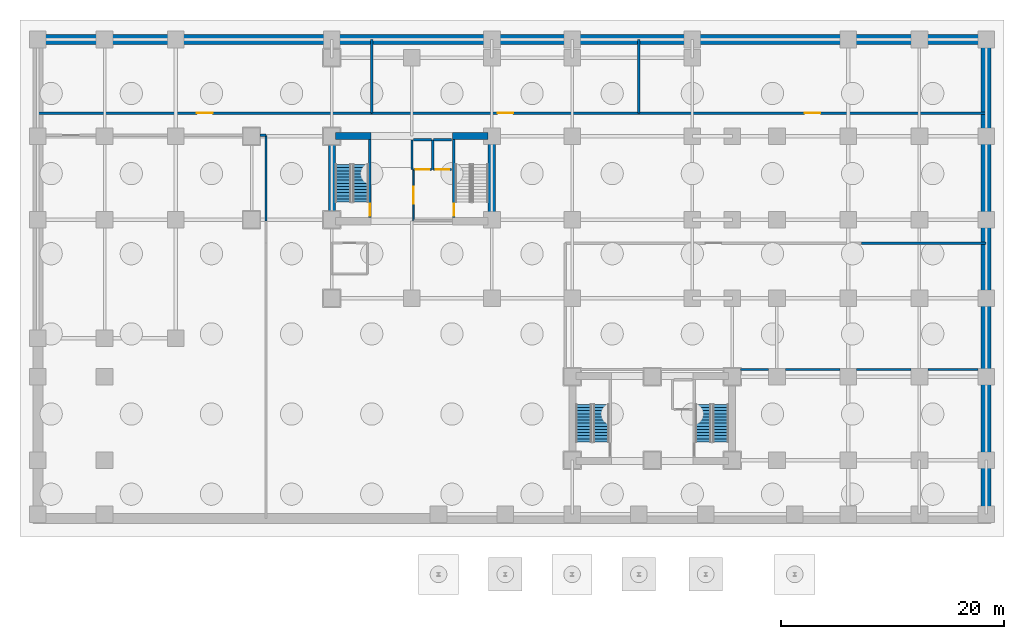
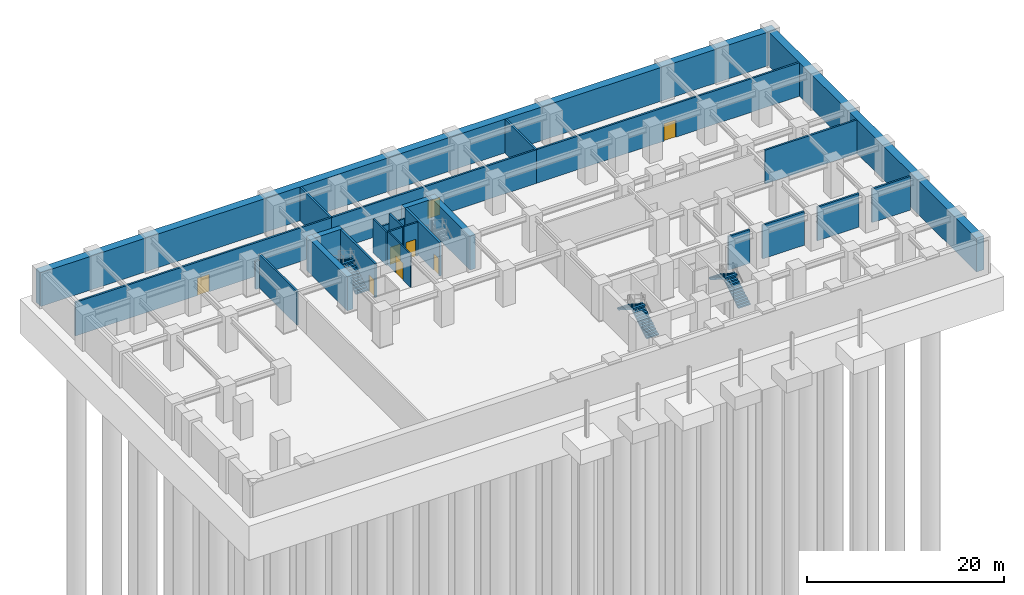
# One storey, part 8 of 11: 27 walls, 8 doors, 6 stair flights, 8 openings, 3 elements without a shape of their own.
"""IFC4 building model written with IfcOpenShell, lengths in metres."""

from ifc_helpers import new_model, si_unit, direction, frame, frame_2d, origin, place, context, subcontext, project, spatial, polyline, rectangle, outline, extrude, material, layer, layer_set, type_object, element, fill, aggregate, save


model = new_model("IFC4")

# Units and contexts
model_context = context("Model", 3, precision=1e-05, world=origin(), true_north=direction((0.0, 1.0)))
body_context = subcontext(model_context, "Body", "Model", "MODEL_VIEW")
ifc_project = project(units=[si_unit("LENGTHUNIT", "METRE"), si_unit("AREAUNIT", "SQUARE_METRE"), si_unit("VOLUMEUNIT", "CUBIC_METRE"), si_unit("PLANEANGLEUNIT", "RADIAN"), si_unit("MASSUNIT", "GRAM", prefix="KILO")], contexts=[model_context])

# Site, building, storey
site_placement = place(None, origin())
site = spatial("IfcSite", under=ifc_project, at=site_placement, CompositionType="ELEMENT")
building_placement = place(site_placement, origin())
building = spatial("IfcBuilding", under=site, at=building_placement, Name="Kaliganga Portal Commons", CompositionType="ELEMENT")
storey_placement = place(building_placement, frame((0.0, 0.0, -9.0)))
storey = spatial("IfcBuildingStorey", under=building, at=storey_placement, Name="B2", CompositionType="ELEMENT", Elevation=-9.0)

# Walls
ifc_material_1 = material(Name="Concrete C70/85", Category="concrete")
ifc_layer_1 = layer(ifc_material_1, 0.64990234375)
ifc_layer_set_1 = layer_set([ifc_layer_1], Name="Concrete C70/85")
wall_type_1 = type_object("IfcWallType", Name="WL-CORE-650", PredefinedType="SHEAR", material=ifc_layer_set_1)
for number, where, z_axis, x_axis, name in (
    (1, (14.425048828125, 28.199951171875, 0.0), (0.0, 0.0, 1.0), (0.0, 1.0, 0.0), "Core A West Shear Wall B2"),
    (2, (28.77490234375, 28.199951171875, 0.0), (0.0, 0.0, 1.0), (0.0, 1.0, 0.0), "Core A East Shear Wall B2"),
):
    element("IfcWall", number, at=place(storey_placement, frame(where, z_axis=z_axis, x_axis=x_axis)), inside=storey, type_object=wall_type_1, Name=name, PredefinedType="SHEAR", context=body_context, shape_type="SweptSolid", body=[
        extrude(rectangle(XDim=8.300048828125, YDim=0.64990234375, at=frame_2d((4.14990234375, 0.0))), origin(), (0.0, 0.0, 1.0), 4.179931640625),
    ])
for number, where, z_axis, x_axis, name in (
    (3, (14.75, 36.175048828125, 0.0), (0.0, 0.0, 1.0), (1.0, 0.0, 0.0), "Core A N-West Shear Wall B2"),
    (4, (25.25, 36.175048828125, 0.0), (0.0, 0.0, 1.0), (1.0, 0.0, 0.0), "Core A N-East Shear Wall B2"),
):
    element("IfcWall", number, at=place(storey_placement, frame(where, z_axis=z_axis, x_axis=x_axis)), inside=storey, type_object=wall_type_1, Name=name, PredefinedType="SHEAR", context=body_context, shape_type="SweptSolid", body=[
        extrude(rectangle(XDim=3.199951171875, YDim=0.64990234375, at=frame_2d((1.60009765625, 0.0))), origin(), (0.0, 0.0, 1.0), 4.179931640625),
    ])

# Wall, opening, door
ifc_material_2 = material(Name="Fire-Rated Gypsum Board on Steel Stud", Category="steel")
ifc_layer_2 = layer(ifc_material_2, 0.14990234375)
ifc_layer_set_2 = layer_set([ifc_layer_2], Name="Fire-Rated Gypsum Board on Steel Stud")
wall_type_2 = type_object("IfcWallType", Name="WL-PART-CORR-150", PredefinedType="PARTITIONING", material=ifc_layer_set_2)
wall_1_placement = place(storey_placement, frame((21.760009765625, 28.56005859375, 0.0), z_axis=(0.0, 0.0, 1.0), x_axis=(0.0, 1.0, 0.0)))
wall_1 = element("IfcWall", 5, at=wall_1_placement, inside=storey, type_object=wall_type_2, Name="Interior Partition B2-024", PredefinedType="PARTITIONING", context=body_context, shape_type="SweptSolid", body=[
    extrude(rectangle(XDim=4.599853515625, YDim=0.14990234375, at=frame_2d((2.2998046875, 0.0))), origin(), (0.0, 0.0, 1.0), 4.159912109375),
])
opening_1_placement = place(wall_1_placement, frame((1.550048828125, 0.0, 0.0)))
opening_1 = element("IfcOpeningElement", 6, at=opening_1_placement, cuts=wall_1, Name="Opening FD-01", PredefinedType="OPENING", context=body_context, shape_type="SweptSolid", body=[
    extrude(rectangle(XDim=1.5, YDim=2.10009765625, at=frame_2d((0.75, 1.050048828125))), frame((0.0, 0.0849609375, 0.0), z_axis=(0.0, -1.0, 0.0), x_axis=(1.0, 0.0, 0.0)), (0.0, 0.0, 1.0), 0.169921875),
])
ifc_material_3 = material(Name="Fire-Rated Hardwood and Georgian-Wired Vision Panel", Category="wood")
door_type_1 = type_object("IfcDoorType", Name="DR-LOBBY-1500", OperationType="DOUBLE_DOOR_SINGLE_SWING", PredefinedType="DOOR", material=ifc_material_3)
door_1_placement = place(opening_1_placement, origin())
door_1 = element("IfcDoor", 7, at=door_1_placement, inside=storey, type_object=door_type_1, Name="Interior Door B2-FFLOB_A", OperationType="DOUBLE_DOOR_SINGLE_SWING", OverallHeight=2.10009765625, OverallWidth=1.5, PredefinedType="DOOR", context=body_context, shape_type="SweptSolid", body=[
    extrude(rectangle(XDim=1.5, YDim=2.10009765625, at=frame_2d((0.75, 1.050048828125))), frame((0.0, 0.02490234375, 0.0), z_axis=(0.0, -1.0, 0.0), x_axis=(1.0, 0.0, 0.0)), (0.0, 0.0, 1.0), 0.050048828125),
])
fill(opening_1, door_1)

ifc_material_4 = material(Name="Lightweight blockwork masonry", Category="masonry")
ifc_layer_3 = layer(ifc_material_4, 0.215087890625)
ifc_layer_set_3 = layer_set([ifc_layer_3], Name="Lightweight blockwork masonry")
wall_type_3 = type_object("IfcWallType", Name="WL-PART-PLANT-215", PredefinedType="PARTITIONING", material=ifc_layer_set_3)
wall_2_placement = place(storey_placement, frame((42.0, 38.239990234375, 0.0), z_axis=(0.0, 0.0, 1.0), x_axis=(1.0, 0.0, 0.0)))
wall_2 = element("IfcWall", 8, at=wall_2_placement, inside=storey, type_object=wall_type_3, Name="Interior Partition B2-001", PredefinedType="PARTITIONING", context=body_context, shape_type="SweptSolid", body=[
    extrude(rectangle(XDim=31.199951171875, YDim=0.215087890625, at=frame_2d((15.60009765625, 0.0))), origin(), (0.0, 0.0, 1.0), 4.159912109375),
])
opening_2_placement = place(wall_2_placement, frame((14.89990234375, 0.0, 0.0)))
opening_2 = element("IfcOpeningElement", 9, at=opening_2_placement, cuts=wall_2, Name="Opening PD-01", PredefinedType="OPENING", context=body_context, shape_type="SweptSolid", body=[
    extrude(rectangle(XDim=1.39990234375, YDim=2.14990234375, at=frame_2d((0.699951171875, 1.074951171875))), frame((0.0, 0.11767578125, 0.0), z_axis=(0.0, -1.0, 0.0), x_axis=(1.0, 0.0, 0.0)), (0.0, 0.0, 1.0), 0.235107421875),
])
ifc_material_5 = material(Name="Heavy-Duty Steel Acoustic Louvre Fire Door", Category="steel")
door_type_2 = type_object("IfcDoorType", Name="DR-PLANT-1400", OperationType="DOUBLE_DOOR_SINGLE_SWING", PredefinedType="DOOR", material=ifc_material_5)
door_2_placement = place(opening_2_placement, origin())
door_2 = element("IfcDoor", 10, at=door_2_placement, inside=storey, type_object=door_type_2, Name="Interior Door B2-CHILL", OperationType="DOUBLE_DOOR_SINGLE_SWING", OverallHeight=2.14990234375, OverallWidth=1.39990234375, PredefinedType="DOOR", context=body_context, shape_type="SweptSolid", body=[
    extrude(rectangle(XDim=1.39990234375, YDim=2.14990234375, at=frame_2d((0.699951171875, 1.074951171875))), frame((0.0, 0.02490234375, 0.0), z_axis=(0.0, -1.0, 0.0), x_axis=(1.0, 0.0, 0.0)), (0.0, 0.0, 1.0), 0.050048828125),
])
fill(opening_2, door_2)

wall_3_placement = place(storey_placement, frame((-12.0, 38.239990234375, 0.0), z_axis=(0.0, 0.0, 1.0), x_axis=(1.0, 0.0, 0.0)))
wall_3 = element("IfcWall", 11, at=wall_3_placement, inside=storey, type_object=wall_type_3, Name="Interior Partition B2-002", PredefinedType="PARTITIONING", context=body_context, shape_type="SweptSolid", body=[
    extrude(rectangle(XDim=30.0, YDim=0.215087890625, at=frame_2d((15.0, 0.0))), origin(), (0.0, 0.0, 1.0), 4.159912109375),
])
opening_3_placement = place(wall_3_placement, frame((14.300048828125, 0.0, 0.0)))
opening_3 = element("IfcOpeningElement", 12, at=opening_3_placement, cuts=wall_3, Name="Opening PD-01", PredefinedType="OPENING", context=body_context, shape_type="SweptSolid", body=[
    extrude(rectangle(XDim=1.39990234375, YDim=2.14990234375, at=frame_2d((0.699951171875, 1.074951171875))), frame((0.0, 0.11767578125, 0.0), z_axis=(0.0, -1.0, 0.0), x_axis=(1.0, 0.0, 0.0)), (0.0, 0.0, 1.0), 0.235107421875),
])
door_3_placement = place(opening_3_placement, origin())
door_3 = element("IfcDoor", 13, at=door_3_placement, inside=storey, type_object=door_type_2, Name="Interior Door B2-WTANK", OperationType="DOUBLE_DOOR_SINGLE_SWING", OverallHeight=2.14990234375, OverallWidth=1.39990234375, PredefinedType="DOOR", context=body_context, shape_type="SweptSolid", body=[
    extrude(rectangle(XDim=1.39990234375, YDim=2.14990234375, at=frame_2d((0.699951171875, 1.074951171875))), frame((0.0, 0.02490234375, 0.0), z_axis=(0.0, -1.0, 0.0), x_axis=(1.0, 0.0, 0.0)), (0.0, 0.0, 1.0), 0.050048828125),
])
fill(opening_3, door_3)

wall_4_placement = place(storey_placement, frame((18.0, 38.239990234375, 0.0), z_axis=(0.0, 0.0, 1.0), x_axis=(1.0, 0.0, 0.0)))
wall_4 = element("IfcWall", 14, at=wall_4_placement, inside=storey, type_object=wall_type_3, Name="Interior Partition B2-004", PredefinedType="PARTITIONING", context=body_context, shape_type="SweptSolid", body=[
    extrude(rectangle(XDim=24.0, YDim=0.215087890625, at=frame_2d((12.0, 0.0))), origin(), (0.0, 0.0, 1.0), 4.159912109375),
])
opening_4_placement = place(wall_4_placement, frame((11.300048828125, 0.0, 0.0)))
opening_4 = element("IfcOpeningElement", 15, at=opening_4_placement, cuts=wall_4, Name="Opening PD-01", PredefinedType="OPENING", context=body_context, shape_type="SweptSolid", body=[
    extrude(rectangle(XDim=1.39990234375, YDim=2.14990234375, at=frame_2d((0.699951171875, 1.074951171875))), frame((0.0, 0.11767578125, 0.0), z_axis=(0.0, -1.0, 0.0), x_axis=(1.0, 0.0, 0.0)), (0.0, 0.0, 1.0), 0.235107421875),
])
door_4_placement = place(opening_4_placement, origin())
door_4 = element("IfcDoor", 16, at=door_4_placement, inside=storey, type_object=door_type_2, Name="Interior Door B2-PUMP", OperationType="DOUBLE_DOOR_SINGLE_SWING", OverallHeight=2.14990234375, OverallWidth=1.39990234375, PredefinedType="DOOR", context=body_context, shape_type="SweptSolid", body=[
    extrude(rectangle(XDim=1.39990234375, YDim=2.14990234375, at=frame_2d((0.699951171875, 1.074951171875))), frame((0.0, 0.02490234375, 0.0), z_axis=(0.0, -1.0, 0.0), x_axis=(1.0, 0.0, 0.0)), (0.0, 0.0, 1.0), 0.050048828125),
])
fill(opening_4, door_4)

# Walls
wall_5_placement = place(storey_placement, frame((7.949951171875, 36.239990234375, 0.0), z_axis=(0.0, 0.0, 1.0), x_axis=(1.0, 0.0, 0.0)))
element("IfcWall", 17, at=wall_5_placement, inside=storey, type_object=wall_type_3, Name="Interior Partition B2-008", PredefinedType="PARTITIONING", context=body_context, shape_type="SweptSolid", body=[
    extrude(rectangle(XDim=0.550048828125, YDim=0.215087890625, at=frame_2d((0.27490234375, 0.0))), origin(), (0.0, 0.0, 1.0), 3.4599609375),
])
wall_6_placement = place(storey_placement, frame((8.5, 28.56005859375, 0.0), z_axis=(0.0, 0.0, 1.0), x_axis=(0.0, 1.0, 0.0)))
element("IfcWall", 18, at=wall_6_placement, inside=storey, type_object=wall_type_3, Name="Interior Partition B2-011", PredefinedType="PARTITIONING", context=body_context, shape_type="SweptSolid", body=[
    extrude(rectangle(XDim=7.679931640625, YDim=0.215087890625, at=frame_2d((3.83984375, 0.0))), origin(), (0.0, 0.0, 1.0), 4.159912109375),
])
wall_7_placement = place(storey_placement, frame((51.14990234375, 15.199951171875, 0.0), z_axis=(0.0, 0.0, 1.0), x_axis=(1.0, 0.0, 0.0)))
element("IfcWall", 19, at=wall_7_placement, inside=storey, type_object=wall_type_3, Name="Interior Partition B2-016", PredefinedType="PARTITIONING", context=body_context, shape_type="SweptSolid", body=[
    extrude(rectangle(XDim=2.5, YDim=0.215087890625, at=frame_2d((1.25, 0.0))), origin(), (0.0, 0.0, 1.0), 4.159912109375),
])
wall_8_placement = place(storey_placement, frame((55.14990234375, 15.199951171875, 0.0), z_axis=(0.0, 0.0, 1.0), x_axis=(1.0, 0.0, 0.0)))
element("IfcWall", 20, at=wall_8_placement, inside=storey, type_object=wall_type_3, Name="Interior Partition B2-017", PredefinedType="PARTITIONING", context=body_context, shape_type="SweptSolid", body=[
    extrude(rectangle(XDim=4.900146484375, YDim=0.215087890625, at=frame_2d((2.4501953125, 0.0))), origin(), (0.0, 0.0, 1.0), 4.159912109375),
])
wall_9_placement = place(storey_placement, frame((61.550048828125, 15.199951171875, 0.0), z_axis=(0.0, 0.0, 1.0), x_axis=(1.0, 0.0, 0.0)))
element("IfcWall", 21, at=wall_9_placement, inside=storey, type_object=wall_type_3, Name="Interior Partition B2-018", PredefinedType="PARTITIONING", context=body_context, shape_type="SweptSolid", body=[
    extrude(rectangle(XDim=4.89990234375, YDim=0.215087890625, at=frame_2d((2.449951171875, 0.0))), origin(), (0.0, 0.0, 1.0), 4.159912109375),
])
wall_10_placement = place(storey_placement, frame((67.949951171875, 15.199951171875, 0.0), z_axis=(0.0, 0.0, 1.0), x_axis=(1.0, 0.0, 0.0)))
element("IfcWall", 22, at=wall_10_placement, inside=storey, type_object=wall_type_3, Name="Interior Partition B2-019", PredefinedType="PARTITIONING", context=body_context, shape_type="SweptSolid", body=[
    extrude(rectangle(XDim=4.5, YDim=0.215087890625, at=frame_2d((2.25, 0.0))), origin(), (0.0, 0.0, 1.0), 4.159912109375),
])
wall_11_placement = place(storey_placement, frame((62.0, 26.56005859375, 0.0), z_axis=(0.0, 0.0, 1.0), x_axis=(1.0, 0.0, 0.0)))
element("IfcWall", 23, at=wall_11_placement, inside=storey, type_object=wall_type_3, Name="Interior Partition B2-021", PredefinedType="PARTITIONING", context=body_context, shape_type="SweptSolid", body=[
    extrude(rectangle(XDim=11.199951171875, YDim=0.215087890625, at=frame_2d((5.60009765625, 0.0))), origin(), (0.0, 0.0, 1.0), 4.159912109375),
])
for number, where, z_axis, x_axis, name in (
    (24, (18.0, 38.239990234375, 0.0), (0.0, 0.0, 1.0), (0.0, 1.0, 0.0), "Interior Partition B2-022"),
    (25, (42.0, 38.239990234375, 0.0), (0.0, 0.0, 1.0), (0.0, 1.0, 0.0), "Interior Partition B2-023"),
):
    element("IfcWall", number, at=place(storey_placement, frame(where, z_axis=z_axis, x_axis=x_axis)), inside=storey, type_object=wall_type_3, Name=name, PredefinedType="PARTITIONING", context=body_context, shape_type="SweptSolid", body=[
        extrude(rectangle(XDim=6.60009765625, YDim=0.215087890625, at=frame_2d((3.300048828125, 0.0))), origin(), (0.0, 0.0, 1.0), 4.159912109375),
    ])
ifc_material_6 = material(Name="Concrete C60/75", Category="concrete")
ifc_layer_4 = layer(ifc_material_6, 0.89990234375)
ifc_layer_set_4 = layer_set([ifc_layer_4], Name="Concrete C60/75")
wall_type_4 = type_object("IfcWallType", Name="WL-RET-900", PredefinedType="USERDEFINED", material=ifc_layer_set_4)
wall_12_placement = place(storey_placement, frame((-12.449951171875, 44.85009765625, 0.0), z_axis=(0.0, 0.0, 1.0), x_axis=(1.0, 0.0, 0.0)))
element("IfcWall", 26, at=wall_12_placement, inside=storey, type_object=wall_type_4, Name="Basement Diaphragm Retaining Wall B2-N", ObjectType="RETAINING WALL", PredefinedType="USERDEFINED", context=body_context, shape_type="SweptSolid", body=[
    extrude(rectangle(XDim=86.099853515625, YDim=0.89990234375, at=frame_2d((43.0498046875, 0.0))), origin(), (0.0, 0.0, 1.0), 4.179931640625),
])
wall_13_placement = place(storey_placement, frame((73.199951171875, 2.25, 0.0), z_axis=(0.0, 0.0, 1.0), x_axis=(0.0, 1.0, 0.0)))
element("IfcWall", 27, at=wall_13_placement, inside=storey, type_object=wall_type_4, Name="Basement Diaphragm Retaining Wall B2-E", ObjectType="RETAINING WALL", PredefinedType="USERDEFINED", context=body_context, shape_type="SweptSolid", body=[
    extrude(rectangle(XDim=42.14990234375, YDim=0.89990234375, at=frame_2d((21.074951171875, 0.0))), origin(), (0.0, 0.0, 1.0), 4.179931640625),
])

# Wall, opening, door
ifc_material_7 = material(Name="Fire-Rated Shaftwall Masonry Assembly", Category="masonry")
ifc_layer_5 = layer(ifc_material_7, 0.199951171875)
ifc_layer_set_5 = layer_set([ifc_layer_5], Name="Fire-Rated Shaftwall Masonry Assembly")
wall_type_5 = type_object("IfcWallType", Name="WL-SHAFT-200", PredefinedType="PARTITIONING", material=ifc_layer_set_5)
wall_14_placement = place(storey_placement, frame((21.75, 33.159912109375, 0.0), z_axis=(0.0, 0.0, 1.0), x_axis=(1.0, 0.0, 0.0)))
wall_14 = element("IfcWall", 28, at=wall_14_placement, inside=storey, type_object=wall_type_5, Name="Lift FFL-1 Hoistway Shaft Wall B2-S", PredefinedType="PARTITIONING", context=body_context, shape_type="SweptSolid", body=[
    extrude(rectangle(XDim=1.60009765625, YDim=0.199951171875, at=frame_2d((0.800048828125, 0.0))), origin(), (0.0, 0.0, 1.0), 4.159912109375),
])
opening_5_placement = place(wall_14_placement, frame((0.199951171875, 0.0, 0.0)))
opening_5 = element("IfcOpeningElement", 29, at=opening_5_placement, cuts=wall_14, Name="Opening LD-02", PredefinedType="OPENING", context=body_context, shape_type="SweptSolid", body=[
    extrude(rectangle(XDim=1.199951171875, YDim=2.1201171875, at=frame_2d((0.60009765625, 1.06005859375))), frame((0.0, 0.10986328125, 0.0), z_axis=(0.0, -1.0, 0.0), x_axis=(1.0, 0.0, 0.0)), (0.0, 0.0, 1.0), 0.219970703125),
])
ifc_material_8 = material(Name="Brushed Stainless Steel 316 Stretcher Lift Landing Door", Category="steel")
door_type_3 = type_object("IfcDoorType", Name="DR-LIFT-1200", OperationType="SLIDING_TO_RIGHT", PredefinedType="DOOR", material=ifc_material_8)
door_5_placement = place(opening_5_placement, origin())
door_5 = element("IfcDoor", 30, at=door_5_placement, inside=storey, type_object=door_type_3, Name="Lift FFL-1 Sliding Landing Door B2", OperationType="SLIDING_TO_RIGHT", OverallHeight=2.1201171875, OverallWidth=1.199951171875, PredefinedType="DOOR", context=body_context, shape_type="SweptSolid", body=[
    extrude(rectangle(XDim=1.199951171875, YDim=2.1201171875, at=frame_2d((0.60009765625, 1.06005859375))), frame((0.0, 0.02490234375, 0.0), z_axis=(0.0, -1.0, 0.0), x_axis=(1.0, 0.0, 0.0)), (0.0, 0.0, 1.0), 0.050048828125),
])
fill(opening_5, door_5)

# Walls
wall_15_placement = place(storey_placement, frame((21.75, 35.840087890625, 0.0), z_axis=(0.0, 0.0, 1.0), x_axis=(1.0, 0.0, 0.0)))
element("IfcWall", 31, at=wall_15_placement, inside=storey, type_object=wall_type_5, Name="Lift FFL-1 Hoistway Shaft Wall B2-N", PredefinedType="PARTITIONING", context=body_context, shape_type="SweptSolid", body=[
    extrude(rectangle(XDim=1.60009765625, YDim=0.199951171875, at=frame_2d((0.800048828125, 0.0))), origin(), (0.0, 0.0, 1.0), 2.9599609375),
])
for number, where, z_axis, x_axis, name in (
    (32, (21.610107421875, 33.159912109375, 0.0), (0.0, 0.0, 1.0), (0.0, 1.0, 0.0), "Lift FFL-1 Hoistway Shaft Wall B2-W"),
    (33, (23.489990234375, 33.159912109375, 0.0), (0.0, 0.0, 1.0), (0.0, 1.0, 0.0), "Lift FFL-1 Hoistway Shaft Wall B2-E"),
):
    element("IfcWall", number, at=place(storey_placement, frame(where, z_axis=z_axis, x_axis=x_axis)), inside=storey, type_object=wall_type_5, Name=name, PredefinedType="PARTITIONING", context=body_context, shape_type="SweptSolid", body=[
        extrude(rectangle(XDim=2.68017578125, YDim=0.199951171875, at=frame_2d((1.340087890625, 0.0))), origin(), (0.0, 0.0, 1.0), 4.159912109375),
    ])

# Wall, opening, door
wall_16_placement = place(storey_placement, frame((23.550048828125, 33.159912109375, 0.0), z_axis=(0.0, 0.0, 1.0), x_axis=(1.0, 0.0, 0.0)))
wall_16 = element("IfcWall", 34, at=wall_16_placement, inside=storey, type_object=wall_type_5, Name="Lift FFL-2 Hoistway Shaft Wall B2-S", PredefinedType="PARTITIONING", context=body_context, shape_type="SweptSolid", body=[
    extrude(rectangle(XDim=1.599853515625, YDim=0.199951171875, at=frame_2d((0.7998046875, 0.0))), origin(), (0.0, 0.0, 1.0), 4.159912109375),
])
opening_6_placement = place(wall_16_placement, frame((0.199951171875, 0.0, 0.0)))
opening_6 = element("IfcOpeningElement", 35, at=opening_6_placement, cuts=wall_16, Name="Opening LD-02", PredefinedType="OPENING", context=body_context, shape_type="SweptSolid", body=[
    extrude(rectangle(XDim=1.199951171875, YDim=2.1201171875, at=frame_2d((0.60009765625, 1.06005859375))), frame((0.0, 0.10986328125, 0.0), z_axis=(0.0, -1.0, 0.0), x_axis=(1.0, 0.0, 0.0)), (0.0, 0.0, 1.0), 0.219970703125),
])
door_6_placement = place(opening_6_placement, origin())
door_6 = element("IfcDoor", 36, at=door_6_placement, inside=storey, type_object=door_type_3, Name="Lift FFL-2 Sliding Landing Door B2", OperationType="SLIDING_TO_RIGHT", OverallHeight=2.1201171875, OverallWidth=1.199951171875, PredefinedType="DOOR", context=body_context, shape_type="SweptSolid", body=[
    extrude(rectangle(XDim=1.199951171875, YDim=2.1201171875, at=frame_2d((0.60009765625, 1.06005859375))), frame((0.0, 0.02490234375, 0.0), z_axis=(0.0, -1.0, 0.0), x_axis=(1.0, 0.0, 0.0)), (0.0, 0.0, 1.0), 0.050048828125),
])
fill(opening_6, door_6)

# Wall
wall_17_placement = place(storey_placement, frame((23.550048828125, 35.840087890625, 0.0), z_axis=(0.0, 0.0, 1.0), x_axis=(1.0, 0.0, 0.0)))
element("IfcWall", 37, at=wall_17_placement, inside=storey, type_object=wall_type_5, Name="Lift FFL-2 Hoistway Shaft Wall B2-N", PredefinedType="PARTITIONING", context=body_context, shape_type="SweptSolid", body=[
    extrude(rectangle(XDim=1.599853515625, YDim=0.199951171875, at=frame_2d((0.7998046875, 0.0))), origin(), (0.0, 0.0, 1.0), 2.9599609375),
])

# Wall, opening, door
ifc_material_9 = material(Name="Concrete C50/60", Category="concrete")
ifc_layer_6 = layer(ifc_material_9, 0.25)
ifc_layer_set_6 = layer_set([ifc_layer_6], Name="Concrete C50/60")
wall_type_6 = type_object("IfcWallType", Name="WL-STAIR-250", PredefinedType="SHEAR", material=ifc_layer_set_6)
wall_18_placement = place(storey_placement, frame((17.824951171875, 28.85009765625, 0.0), z_axis=(0.0, 0.0, 1.0), x_axis=(0.0, 1.0, 0.0)))
wall_18 = element("IfcWall", 38, at=wall_18_placement, inside=storey, type_object=wall_type_6, Name="Stair A1 Enclosure Shear Wall B2", PredefinedType="SHEAR", context=body_context, shape_type="SweptSolid", body=[
    extrude(rectangle(XDim=7.0, YDim=0.25, at=frame_2d((3.5, 0.0))), origin(), (0.0, 0.0, 1.0), 4.179931640625),
])
opening_7_placement = place(wall_18_placement, frame((0.14990234375, 0.0, 0.0)))
opening_7 = element("IfcOpeningElement", 39, at=opening_7_placement, cuts=wall_18, Name="Opening SD-01", PredefinedType="OPENING", context=body_context, shape_type="SweptSolid", body=[
    extrude(rectangle(XDim=1.10009765625, YDim=2.080078125, at=frame_2d((0.550048828125, 1.0400390625))), frame((0.0, 0.135009765625, 0.0), z_axis=(0.0, -1.0, 0.0), x_axis=(1.0, 0.0, 0.0)), (0.0, 0.0, 1.0), 0.27001953125),
])
ifc_material_10 = material(Name="Galvanized Steel Fire Door Leaf and Frame", Category="steel")
door_type_4 = type_object("IfcDoorType", Name="DR-STAIR-1100", OperationType="NOTDEFINED", PredefinedType="DOOR", material=ifc_material_10)
door_7_placement = place(opening_7_placement, origin())
door_7 = element("IfcDoor", 40, at=door_7_placement, inside=storey, type_object=door_type_4, Name="Protected Stair ST-A1 Fire Door B2", OperationType="SINGLE_SWING_RIGHT", OverallHeight=2.080078125, OverallWidth=1.10009765625, PredefinedType="DOOR", context=body_context, shape_type="SweptSolid", body=[
    extrude(rectangle(XDim=1.10009765625, YDim=2.080078125, at=frame_2d((0.550048828125, 1.0400390625))), frame((0.0, 0.02490234375, 0.0), z_axis=(0.0, -1.0, 0.0), x_axis=(1.0, 0.0, 0.0)), (0.0, 0.0, 1.0), 0.050048828125),
])
fill(opening_7, door_7)

wall_19_placement = place(storey_placement, frame((25.375, 28.85009765625, 0.0), z_axis=(0.0, 0.0, 1.0), x_axis=(0.0, 1.0, 0.0)))
wall_19 = element("IfcWall", 41, at=wall_19_placement, inside=storey, type_object=wall_type_6, Name="Stair A2 Enclosure Shear Wall B2", PredefinedType="SHEAR", context=body_context, shape_type="SweptSolid", body=[
    extrude(rectangle(XDim=7.0, YDim=0.25, at=frame_2d((3.5, 0.0))), origin(), (0.0, 0.0, 1.0), 4.179931640625),
])
opening_8_placement = place(wall_19_placement, frame((0.14990234375, 0.0, 0.0)))
opening_8 = element("IfcOpeningElement", 42, at=opening_8_placement, cuts=wall_19, Name="Opening SD-01", PredefinedType="OPENING", context=body_context, shape_type="SweptSolid", body=[
    extrude(rectangle(XDim=1.10009765625, YDim=2.080078125, at=frame_2d((0.550048828125, 1.0400390625))), frame((0.0, 0.135009765625, 0.0), z_axis=(0.0, -1.0, 0.0), x_axis=(1.0, 0.0, 0.0)), (0.0, 0.0, 1.0), 0.27001953125),
])
door_8_placement = place(opening_8_placement, origin())
door_8 = element("IfcDoor", 43, at=door_8_placement, inside=storey, type_object=door_type_4, Name="Protected Stair ST-A2 Fire Door B2", OperationType="SINGLE_SWING_LEFT", OverallHeight=2.080078125, OverallWidth=1.10009765625, PredefinedType="DOOR", context=body_context, shape_type="SweptSolid", body=[
    extrude(rectangle(XDim=1.10009765625, YDim=2.080078125, at=frame_2d((0.550048828125, 1.0400390625))), frame((0.0, 0.02490234375, 0.0), z_axis=(0.0, -1.0, 0.0), x_axis=(1.0, 0.0, 0.0)), (0.0, 0.0, 1.0), 0.050048828125),
])
fill(opening_8, door_8)

# Stair, stair flights
ifc_material_11 = material(Name="Concrete C40/50", Category="concrete")
stair_type = type_object("IfcStairType", Name="ST-CORE-DOGLEG", PredefinedType="HALF_TURN_STAIR", material=ifc_material_11)
stair_1_placement = place(storey_placement, origin())
stair_1 = element("IfcStair", 44, at=stair_1_placement, inside=storey, type_object=stair_type, Name="B2 Protected Exit Stair ST-A1", PredefinedType="HALF_TURN_STAIR")
stair_flight_type = type_object("IfcStairFlightType", Name="STF-RC-1400", PredefinedType="STRAIGHT", material=ifc_material_11)
stair_flight_1_placement = place(storey_placement, frame((17.0, 30.25, 0.0), z_axis=(0.0, 0.0, 1.0), x_axis=(0.0, 1.0, 0.0)))
stair_flight_1 = element("IfcStairFlight", 45, at=stair_flight_1_placement, type_object=stair_flight_type, Name="ST-A1 flight 1", NumberOfRisers=13, NumberOfTreads=12, PredefinedType="STRAIGHT", RiserHeight=0.173076923, TreadLength=0.28, context=body_context, shape_type="SweptSolid", body=[
    extrude(outline(polyline([(0.0, 0.0), (0.0, 0.173095703125), (0.280029296875, 0.173095703125), (0.280029296875, 0.34619140625), (0.56005859375, 0.34619140625), (0.56005859375, 0.519287109375), (0.840087890625, 0.519287109375), (0.840087890625, 0.6923828125), (1.1201171875, 0.6923828125), (1.1201171875, 0.865478515625), (1.39990234375, 0.865478515625), (1.39990234375, 1.03857421875), (1.679931640625, 1.03857421875), (1.679931640625, 1.21142578125), (1.9599609375, 1.21142578125), (1.9599609375, 1.384521484375), (2.239990234375, 1.384521484375), (2.239990234375, 1.5576171875), (2.52001953125, 1.5576171875), (2.52001953125, 1.730712890625), (2.800048828125, 1.730712890625), (2.800048828125, 1.90380859375), (3.080078125, 1.90380859375), (3.080078125, 2.076904296875), (3.360107421875, 2.076904296875), (3.360107421875, 2.25), (3.360107421875, 1.900634765625), (0.28515625, 0.0), (0.0, 0.0)])), frame((0.0, 0.699951171875, 0.0), z_axis=(0.0, -1.0, 0.0), x_axis=(1.0, 0.0, 0.0)), (0.0, 0.0, 1.0), 1.39990234375),
])
stair_flight_2_placement = place(storey_placement, frame((15.449951171875, 33.610107421875, 2.25), z_axis=(0.0, 0.0, 1.0), x_axis=(0.0, -1.0, 0.0)))
stair_flight_2 = element("IfcStairFlight", 46, at=stair_flight_2_placement, type_object=stair_flight_type, Name="ST-A1 flight 2", NumberOfRisers=13, NumberOfTreads=12, PredefinedType="STRAIGHT", RiserHeight=0.173076923, TreadLength=0.28, context=body_context, shape_type="SweptSolid", body=[
    extrude(outline(polyline([(0.0, 0.0), (0.0, 0.173095703125), (0.280029296875, 0.173095703125), (0.280029296875, 0.34619140625), (0.56005859375, 0.34619140625), (0.56005859375, 0.519287109375), (0.840087890625, 0.519287109375), (0.840087890625, 0.6923828125), (1.1201171875, 0.6923828125), (1.1201171875, 0.865478515625), (1.39990234375, 0.865478515625), (1.39990234375, 1.03857421875), (1.679931640625, 1.03857421875), (1.679931640625, 1.21142578125), (1.9599609375, 1.21142578125), (1.9599609375, 1.384521484375), (2.239990234375, 1.384521484375), (2.239990234375, 1.5576171875), (2.52001953125, 1.5576171875), (2.52001953125, 1.730712890625), (2.800048828125, 1.730712890625), (2.800048828125, 1.90380859375), (3.080078125, 1.90380859375), (3.080078125, 2.076904296875), (3.360107421875, 2.076904296875), (3.360107421875, 2.25), (3.360107421875, 1.900634765625), (0.28515625, 0.0), (0.0, 0.0)])), frame((0.0, 0.699951171875, 0.0), z_axis=(0.0, -1.0, 0.0), x_axis=(1.0, 0.0, 0.0)), (0.0, 0.0, 1.0), 1.39990234375),
])
aggregate(stair_1, [stair_flight_1, stair_flight_2])

stair_2_placement = place(storey_placement, origin())
stair_2 = element("IfcStair", 47, at=stair_2_placement, inside=storey, type_object=stair_type, Name="B2 Protected Exit Stair ST-B1", PredefinedType="HALF_TURN_STAIR")
stair_flight_3_placement = place(storey_placement, frame((38.60009765625, 8.699951171875, 0.0), z_axis=(0.0, 0.0, 1.0), x_axis=(0.0, 1.0, 0.0)))
stair_flight_3 = element("IfcStairFlight", 48, at=stair_flight_3_placement, type_object=stair_flight_type, Name="ST-B1 flight 1", NumberOfRisers=13, NumberOfTreads=12, PredefinedType="STRAIGHT", RiserHeight=0.173076923, TreadLength=0.28, context=body_context, shape_type="SweptSolid", body=[
    extrude(outline(polyline([(0.0, 0.0), (0.0, 0.173095703125), (0.280029296875, 0.173095703125), (0.280029296875, 0.34619140625), (0.56005859375, 0.34619140625), (0.56005859375, 0.519287109375), (0.840087890625, 0.519287109375), (0.840087890625, 0.6923828125), (1.1201171875, 0.6923828125), (1.1201171875, 0.865478515625), (1.39990234375, 0.865478515625), (1.39990234375, 1.03857421875), (1.679931640625, 1.03857421875), (1.679931640625, 1.21142578125), (1.9599609375, 1.21142578125), (1.9599609375, 1.384521484375), (2.239990234375, 1.384521484375), (2.239990234375, 1.5576171875), (2.52001953125, 1.5576171875), (2.52001953125, 1.730712890625), (2.800048828125, 1.730712890625), (2.800048828125, 1.90380859375), (3.080078125, 1.90380859375), (3.080078125, 2.076904296875), (3.360107421875, 2.076904296875), (3.360107421875, 2.25), (3.360107421875, 1.900634765625), (0.28515625, 0.0), (0.0, 0.0)])), frame((0.0, 0.699951171875, 0.0), z_axis=(0.0, -1.0, 0.0), x_axis=(1.0, 0.0, 0.0)), (0.0, 0.0, 1.0), 1.39990234375),
])
stair_flight_4_placement = place(storey_placement, frame((37.050048828125, 12.06005859375, 2.25), z_axis=(0.0, 0.0, 1.0), x_axis=(0.0, -1.0, 0.0)))
stair_flight_4 = element("IfcStairFlight", 49, at=stair_flight_4_placement, type_object=stair_flight_type, Name="ST-B1 flight 2", NumberOfRisers=13, NumberOfTreads=12, PredefinedType="STRAIGHT", RiserHeight=0.173076923, TreadLength=0.28, context=body_context, shape_type="SweptSolid", body=[
    extrude(outline(polyline([(0.0, 0.0), (0.0, 0.173095703125), (0.280029296875, 0.173095703125), (0.280029296875, 0.34619140625), (0.56005859375, 0.34619140625), (0.56005859375, 0.519287109375), (0.840087890625, 0.519287109375), (0.840087890625, 0.6923828125), (1.1201171875, 0.6923828125), (1.1201171875, 0.865478515625), (1.39990234375, 0.865478515625), (1.39990234375, 1.03857421875), (1.679931640625, 1.03857421875), (1.679931640625, 1.21142578125), (1.9599609375, 1.21142578125), (1.9599609375, 1.384521484375), (2.239990234375, 1.384521484375), (2.239990234375, 1.5576171875), (2.52001953125, 1.5576171875), (2.52001953125, 1.730712890625), (2.800048828125, 1.730712890625), (2.800048828125, 1.90380859375), (3.080078125, 1.90380859375), (3.080078125, 2.076904296875), (3.360107421875, 2.076904296875), (3.360107421875, 2.25), (3.360107421875, 1.900634765625), (0.28515625, 0.0), (0.0, 0.0)])), frame((0.0, 0.699951171875, 0.0), z_axis=(0.0, -1.0, 0.0), x_axis=(1.0, 0.0, 0.0)), (0.0, 0.0, 1.0), 1.39990234375),
])
aggregate(stair_2, [stair_flight_3, stair_flight_4])

stair_3_placement = place(storey_placement, origin())
stair_3 = element("IfcStair", 50, at=stair_3_placement, inside=storey, type_object=stair_type, Name="B2 Protected Exit Stair ST-B2", PredefinedType="HALF_TURN_STAIR")
stair_flight_5_placement = place(storey_placement, frame((49.35009765625, 8.699951171875, 0.0), z_axis=(0.0, 0.0, 1.0), x_axis=(0.0, 1.0, 0.0)))
stair_flight_5 = element("IfcStairFlight", 51, at=stair_flight_5_placement, type_object=stair_flight_type, Name="ST-B2 flight 1", NumberOfRisers=13, NumberOfTreads=12, PredefinedType="STRAIGHT", RiserHeight=0.173076923, TreadLength=0.28, context=body_context, shape_type="SweptSolid", body=[
    extrude(outline(polyline([(0.0, 0.0), (0.0, 0.173095703125), (0.280029296875, 0.173095703125), (0.280029296875, 0.34619140625), (0.56005859375, 0.34619140625), (0.56005859375, 0.519287109375), (0.840087890625, 0.519287109375), (0.840087890625, 0.6923828125), (1.1201171875, 0.6923828125), (1.1201171875, 0.865478515625), (1.39990234375, 0.865478515625), (1.39990234375, 1.03857421875), (1.679931640625, 1.03857421875), (1.679931640625, 1.21142578125), (1.9599609375, 1.21142578125), (1.9599609375, 1.384521484375), (2.239990234375, 1.384521484375), (2.239990234375, 1.5576171875), (2.52001953125, 1.5576171875), (2.52001953125, 1.730712890625), (2.800048828125, 1.730712890625), (2.800048828125, 1.90380859375), (3.080078125, 1.90380859375), (3.080078125, 2.076904296875), (3.360107421875, 2.076904296875), (3.360107421875, 2.25), (3.360107421875, 1.900634765625), (0.28515625, 0.0), (0.0, 0.0)])), frame((0.0, 0.699951171875, 0.0), z_axis=(0.0, -1.0, 0.0), x_axis=(1.0, 0.0, 0.0)), (0.0, 0.0, 1.0), 1.39990234375),
])
stair_flight_6_placement = place(storey_placement, frame((47.800048828125, 12.06005859375, 2.25), z_axis=(0.0, 0.0, 1.0), x_axis=(0.0, -1.0, 0.0)))
stair_flight_6 = element("IfcStairFlight", 52, at=stair_flight_6_placement, type_object=stair_flight_type, Name="ST-B2 flight 2", NumberOfRisers=13, NumberOfTreads=12, PredefinedType="STRAIGHT", RiserHeight=0.173076923, TreadLength=0.28, context=body_context, shape_type="SweptSolid", body=[
    extrude(outline(polyline([(0.0, 0.0), (0.0, 0.173095703125), (0.280029296875, 0.173095703125), (0.280029296875, 0.34619140625), (0.56005859375, 0.34619140625), (0.56005859375, 0.519287109375), (0.840087890625, 0.519287109375), (0.840087890625, 0.6923828125), (1.1201171875, 0.6923828125), (1.1201171875, 0.865478515625), (1.39990234375, 0.865478515625), (1.39990234375, 1.03857421875), (1.679931640625, 1.03857421875), (1.679931640625, 1.21142578125), (1.9599609375, 1.21142578125), (1.9599609375, 1.384521484375), (2.239990234375, 1.384521484375), (2.239990234375, 1.5576171875), (2.52001953125, 1.5576171875), (2.52001953125, 1.730712890625), (2.800048828125, 1.730712890625), (2.800048828125, 1.90380859375), (3.080078125, 1.90380859375), (3.080078125, 2.076904296875), (3.360107421875, 2.076904296875), (3.360107421875, 2.25), (3.360107421875, 1.900634765625), (0.28515625, 0.0), (0.0, 0.0)])), frame((0.0, 0.699951171875, 0.0), z_axis=(0.0, -1.0, 0.0), x_axis=(1.0, 0.0, 0.0)), (0.0, 0.0, 1.0), 1.39990234375),
])
aggregate(stair_3, [stair_flight_5, stair_flight_6])

save(model, "model.ifc")
